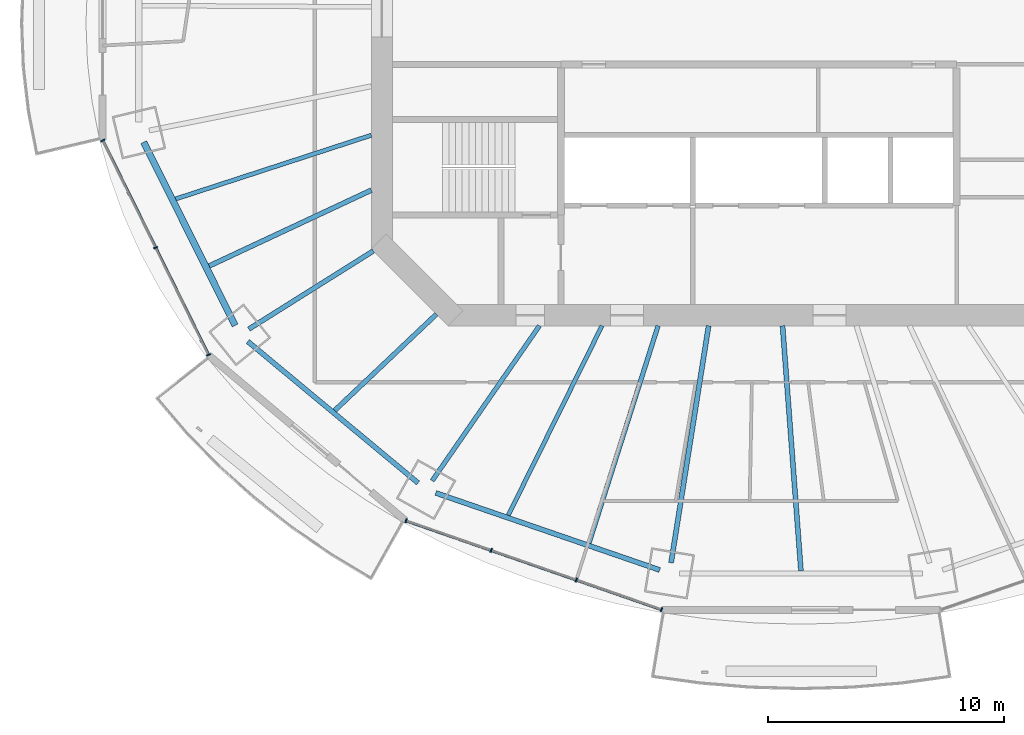
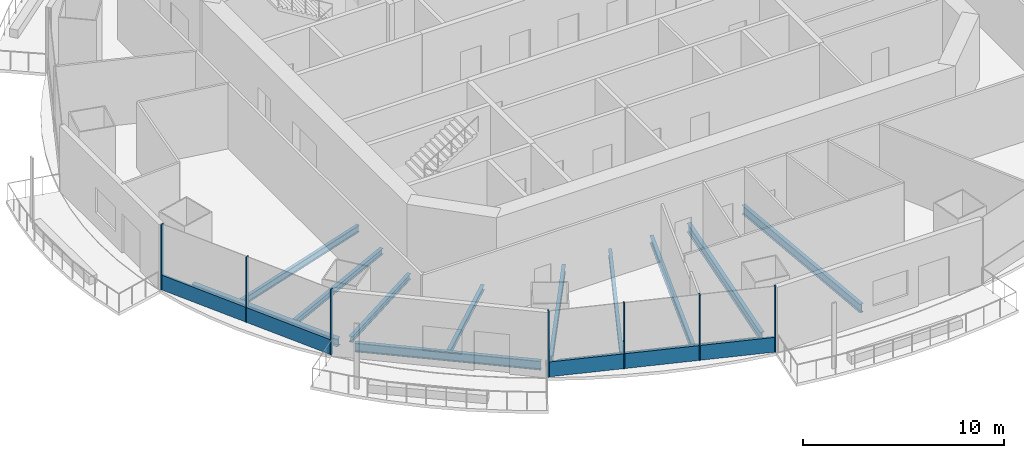
# One storey, part 2 of 19: 12 beams, 9 members, 2 elements without a shape of their own.
"""IFC4 building model written with IfcOpenShell, lengths in metres."""

from ifc_helpers import new_model, si_unit, direction, frame, origin, origin_2d, place, context, subcontext, project, spatial, rectangle, i_section, extrude, material, material_profile, profile_set, type_object, element, aggregate, save


model = new_model("IFC4")

# Units and contexts
model_context = context("Model", 3, precision=1e-05, world=origin(), true_north=direction((0.0, 1.0)))
body_context = subcontext(model_context, "Body", "Model", "MODEL_VIEW")
ifc_project = project(units=[si_unit("LENGTHUNIT", "METRE"), si_unit("AREAUNIT", "SQUARE_METRE"), si_unit("VOLUMEUNIT", "CUBIC_METRE"), si_unit("PLANEANGLEUNIT", "RADIAN"), si_unit("MASSUNIT", "GRAM", prefix="KILO")], contexts=[model_context])

# Site, building, storey
site_placement = place(None, origin())
site = spatial("IfcSite", under=ifc_project, at=site_placement, CompositionType="ELEMENT")
building_placement = place(site_placement, origin())
building = spatial("IfcBuilding", under=site, at=building_placement, Name="Marenthal Gate Tower", CompositionType="ELEMENT")
storey_placement = place(building_placement, frame((0.0, 0.0, 244.050048828125)))
storey = spatial("IfcBuildingStorey", under=building, at=storey_placement, Name="L54", CompositionType="ELEMENT", Elevation=244.050048828125)

# Curtain wall, members
ifc_material_1 = material(Name="Aluminium and glass", Category="aluminium")
curtain_wall_type = type_object("IfcCurtainWallType", Name="Curtain wall typical mid", PredefinedType="NOTDEFINED", material=ifc_material_1)
curtain_wall_1_placement = place(storey_placement, origin())
curtain_wall_1 = element("IfcCurtainWall", 1, at=curtain_wall_1_placement, inside=storey, type_object=curtain_wall_type, Name="Curtain wall L54 bay 9", PredefinedType="NOTDEFINED")
ifc_material_2 = material(Name="Aluminium", Category="aluminium")
ifc_material_profile_1 = material_profile(ifc_material_2, rectangle(XDim=0.179931640625, YDim=0.06005859375, at=origin_2d()), Name="60x180 aluminium mullion")
ifc_profile_set_1 = profile_set([ifc_material_profile_1], Name="Aluminium")
member_type_1 = type_object("IfcMemberType", Name="Mullion 60x180 typical mid", PredefinedType="MULLION", material=ifc_profile_set_1)
member_1_placement = place(storey_placement, frame((-27.8505859375, -5.58203125, 0.0), z_axis=(0.0, 0.0, 1.0), x_axis=(0.896835471663, 0.442364258013, 0.0)))
member_1 = element("IfcMember", 2, at=member_1_placement, type_object=member_type_1, Name="Mullion L54 bay 9.1", PredefinedType="MULLION", context=body_context, shape_type="SweptSolid", body=[
    extrude(rectangle(XDim=0.179931640625, YDim=0.06005859375, at=origin_2d()), origin(), (0.0, 0.0, 1.0), 3.969970703125),
])
member_2_placement = place(storey_placement, frame((-25.60595703125, -10.133056640625, 0.0), z_axis=(0.0, 0.0, 1.0), x_axis=(0.896835471663, 0.442364258013, 0.0)))
member_2 = element("IfcMember", 3, at=member_2_placement, type_object=member_type_1, Name="Mullion L54 bay 9.2", PredefinedType="MULLION", context=body_context, shape_type="SweptSolid", body=[
    extrude(rectangle(XDim=0.179931640625, YDim=0.06005859375, at=origin_2d()), origin(), (0.0, 0.0, 1.0), 3.969970703125),
])
member_3_placement = place(storey_placement, frame((-23.361083984375, -14.68408203125, 0.0), z_axis=(0.0, 0.0, 1.0), x_axis=(0.896835471663, 0.442364258013, 0.0)))
member_3 = element("IfcMember", 4, at=member_3_placement, type_object=member_type_1, Name="Mullion L54 bay 9.3", PredefinedType="MULLION", context=body_context, shape_type="SweptSolid", body=[
    extrude(rectangle(XDim=0.179931640625, YDim=0.06005859375, at=origin_2d()), origin(), (0.0, 0.0, 1.0), 3.969970703125),
])

curtain_wall_2_placement = place(storey_placement, origin())
curtain_wall_2 = element("IfcCurtainWall", 5, at=curtain_wall_2_placement, inside=storey, type_object=curtain_wall_type, Name="Curtain wall L54 bay 11", PredefinedType="NOTDEFINED")
member_4_placement = place(storey_placement, frame((-14.974853515625, -21.728271484375, 0.0), z_axis=(0.0, 0.0, 1.0), x_axis=(0.328540448732, 0.944489901241, 0.0)))
member_4 = element("IfcMember", 6, at=member_4_placement, type_object=member_type_1, Name="Mullion L54 bay 11.1", PredefinedType="MULLION", context=body_context, shape_type="SweptSolid", body=[
    extrude(rectangle(XDim=0.179931640625, YDim=0.06005859375, at=origin_2d()), origin(), (0.0, 0.0, 1.0), 3.969970703125),
])
member_5_placement = place(storey_placement, frame((-11.359619140625, -22.98583984375, 0.0), z_axis=(0.0, 0.0, 1.0), x_axis=(0.328540448732, 0.944489901241, 0.0)))
member_5 = element("IfcMember", 7, at=member_5_placement, type_object=member_type_1, Name="Mullion L54 bay 11.2", PredefinedType="MULLION", context=body_context, shape_type="SweptSolid", body=[
    extrude(rectangle(XDim=0.179931640625, YDim=0.06005859375, at=origin_2d()), origin(), (0.0, 0.0, 1.0), 3.969970703125),
])
member_6_placement = place(storey_placement, frame((-7.744140625, -24.24365234375, 0.0), z_axis=(0.0, 0.0, 1.0), x_axis=(0.328540448732, 0.944489901241, 0.0)))
member_6 = element("IfcMember", 8, at=member_6_placement, type_object=member_type_1, Name="Mullion L54 bay 11.3", PredefinedType="MULLION", context=body_context, shape_type="SweptSolid", body=[
    extrude(rectangle(XDim=0.179931640625, YDim=0.06005859375, at=origin_2d()), origin(), (0.0, 0.0, 1.0), 3.969970703125),
])
member_7_placement = place(storey_placement, frame((-4.12890625, -25.501220703125, 0.0), z_axis=(0.0, 0.0, 1.0), x_axis=(0.328540448732, 0.944489901241, 0.0)))
member_7 = element("IfcMember", 9, at=member_7_placement, type_object=member_type_1, Name="Mullion L54 bay 11.4", PredefinedType="MULLION", context=body_context, shape_type="SweptSolid", body=[
    extrude(rectangle(XDim=0.179931640625, YDim=0.06005859375, at=origin_2d()), origin(), (0.0, 0.0, 1.0), 3.969970703125),
])

# Member
ifc_material_3 = material(Name="Aluminium", Category="aluminium")
ifc_material_profile_2 = material_profile(ifc_material_3, rectangle(XDim=0.1201171875, YDim=0.89990234375, at=origin_2d()), Name="120x900 aluminium transom")
ifc_profile_set_2 = profile_set([ifc_material_profile_2], Name="Aluminium")
member_type_2 = type_object("IfcMemberType", Name="Transom 120x900 typical mid", PredefinedType="USERDEFINED", material=ifc_profile_set_2)
member_8_placement = place(storey_placement, frame((-27.83740234375, -5.60888671875, 0.449951171875), z_axis=(0.442377007868, -0.896829182682, 0.0), x_axis=(0.896829182682, 0.442377007868, 0.0)))
member_8 = element("IfcMember", 10, at=member_8_placement, type_object=member_type_2, Name="Transom L54 bay 9", ObjectType="TRANSOM", PredefinedType="USERDEFINED", context=body_context, shape_type="SweptSolid", body=[
    extrude(rectangle(XDim=0.1201171875, YDim=0.89990234375, at=origin_2d()), origin(), (0.0, 0.0, 1.0), 10.0888671875),
])

aggregate(curtain_wall_1, [member_1, member_2, member_3, member_8])

member_9_placement = place(storey_placement, frame((-14.946533203125, -21.73828125, 0.449951171875), z_axis=(0.944493336766, -0.328530572099, 0.0), x_axis=(0.328530572099, 0.944493336766, 0.0)))
member_9 = element("IfcMember", 11, at=member_9_placement, type_object=member_type_2, Name="Transom L54 bay 11", ObjectType="TRANSOM", PredefinedType="USERDEFINED", context=body_context, shape_type="SweptSolid", body=[
    extrude(rectangle(XDim=0.1201171875, YDim=0.89990234375, at=origin_2d()), origin(), (0.0, 0.0, 1.0), 11.42333984375),
])

aggregate(curtain_wall_2, [member_4, member_5, member_6, member_7, member_9])

# Beams
ifc_material_4 = material(Name="Steel S355", Category="steel")
ifc_material_profile_3 = material_profile(ifc_material_4, i_section(OverallWidth=0.202880859375, OverallDepth=0.302001953125, WebThickness=0.007568359375, FlangeThickness=0.01318359375, FilletRadius=0.0126953125, at=origin_2d()), Name="W310X60")
ifc_profile_set_3 = profile_set([ifc_material_profile_3], Name="Steel S355")
beam_type_1 = type_object("IfcBeamType", Name="W310X60 beam", PredefinedType="BEAM", material=ifc_profile_set_3)
beam_1_placement = place(storey_placement, frame((-18.002197265625, -17.04541015625, -0.3310546875), z_axis=(0.726148890655, 0.687537481597, 0.0), x_axis=(-0.687537481597, 0.726148890655, 0.0)))
element("IfcBeam", 12, at=beam_1_placement, inside=storey, type_object=beam_type_1, Name="BM-L54-31", PredefinedType="BEAM", context=body_context, shape_type="SweptSolid", body=[
    extrude(i_section(OverallWidth=0.202880859375, OverallDepth=0.302001953125, WebThickness=0.007568359375, FlangeThickness=0.01318359375, FilletRadius=0.0126953125, at=origin_2d()), origin(), (0.0, 0.0, 1.0), 5.949951171875),
])
ifc_material_5 = material(Name="Steel S355", Category="steel")
ifc_material_profile_4 = material_profile(ifc_material_5, i_section(OverallWidth=0.205078125, OverallDepth=0.35302734375, WebThickness=0.009521484375, FlangeThickness=0.016845703125, FilletRadius=0.014892578125, at=origin_2d()), Name="W360X79")
ifc_profile_set_4 = profile_set([ifc_material_profile_4], Name="Steel S355")
beam_type_2 = type_object("IfcBeamType", Name="W360X79 beam", PredefinedType="BEAM", material=ifc_profile_set_4)
beam_2_placement = place(storey_placement, frame((-21.6474609375, -13.59033203125, -0.3564453125), z_axis=(0.846932607318, 0.531700252644, 0.0), x_axis=(-0.531700252644, 0.846932607318, 0.0)))
element("IfcBeam", 13, at=beam_2_placement, inside=storey, type_object=beam_type_2, Name="BM-L54-10", PredefinedType="BEAM", context=body_context, shape_type="SweptSolid", body=[
    extrude(i_section(OverallWidth=0.205078125, OverallDepth=0.35302734375, WebThickness=0.009521484375, FlangeThickness=0.016845703125, FilletRadius=0.014892578125, at=origin_2d()), origin(), (0.0, 0.0, 1.0), 6.2392578125),
])
beam_3_placement = place(storey_placement, frame((-23.33447265625, -10.911865234375, -0.3564453125), z_axis=(0.905857061392, 0.423583503369, 0.0), x_axis=(-0.423583503369, 0.905857061392, 0.0)))
element("IfcBeam", 14, at=beam_3_placement, inside=storey, type_object=beam_type_2, Name="BM-L54-30", PredefinedType="BEAM", context=body_context, shape_type="SweptSolid", body=[
    extrude(i_section(OverallWidth=0.205078125, OverallDepth=0.35302734375, WebThickness=0.009521484375, FlangeThickness=0.016845703125, FilletRadius=0.014892578125, at=origin_2d()), origin(), (0.0, 0.0, 1.0), 7.60009765625),
])
ifc_material_6 = material(Name="Steel S355", Category="steel")
ifc_material_profile_5 = material_profile(ifc_material_6, i_section(OverallWidth=0.180908203125, OverallDepth=0.4169921875, WebThickness=0.010986328125, FlangeThickness=0.018310546875, FilletRadius=0.01025390625, at=origin_2d()), Name="W410X85")
ifc_profile_set_5 = profile_set([ifc_material_profile_5], Name="Steel S355")
beam_type_3 = type_object("IfcBeamType", Name="W410X85 beam", PredefinedType="BEAM", material=ifc_profile_set_5)
beam_4_placement = place(storey_placement, frame((-24.75341796875, -8.065185546875, -0.388427734375), z_axis=(0.950808446089, 0.309779435803, 0.0), x_axis=(-0.309779435803, 0.950808446089, 0.0)))
element("IfcBeam", 15, at=beam_4_placement, inside=storey, type_object=beam_type_3, Name="BM-L54-29", PredefinedType="BEAM", context=body_context, shape_type="SweptSolid", body=[
    extrude(i_section(OverallWidth=0.180908203125, OverallDepth=0.4169921875, WebThickness=0.010986328125, FlangeThickness=0.018310546875, FilletRadius=0.01025390625, at=origin_2d()), origin(), (0.0, 0.0, 1.0), 8.733154296875),
])
beam_5_placement = place(storey_placement, frame((-10.633544921875, -21.494384765625, -0.388427734375), z_axis=(0.443423041842, 0.89631244885, 0.0), x_axis=(-0.89631244885, 0.443423041842, 0.0)))
element("IfcBeam", 16, at=beam_5_placement, inside=storey, type_object=beam_type_3, Name="BM-L54-32", PredefinedType="BEAM", context=body_context, shape_type="SweptSolid", body=[
    extrude(i_section(OverallWidth=0.180908203125, OverallDepth=0.4169921875, WebThickness=0.010986328125, FlangeThickness=0.018310546875, FilletRadius=0.01025390625, at=origin_2d()), origin(), (0.0, 0.0, 1.0), 8.97509765625),
])
ifc_material_7 = material(Name="Steel S355", Category="steel")
ifc_material_profile_6 = material_profile(ifc_material_7, i_section(OverallWidth=0.279052734375, OverallDepth=0.4619140625, WebThickness=0.0107421875, FlangeThickness=0.017333984375, FilletRadius=0.010009765625, at=origin_2d()), Name="W460X113")
ifc_profile_set_6 = profile_set([ifc_material_profile_6], Name="Steel S355")
beam_type_4 = type_object("IfcBeamType", Name="W460X113 beam", PredefinedType="BEAM", material=ifc_profile_set_6)
beam_6_placement = place(storey_placement, frame((-26.11376953125, -5.649169921875, -0.4111328125), z_axis=(0.446135404935, -0.894965474453, 0.0), x_axis=(0.894965474453, 0.446135404935, 0.0)))
element("IfcBeam", 17, at=beam_6_placement, inside=storey, type_object=beam_type_4, Name="BM-L54-49", PredefinedType="BEAM", context=body_context, shape_type="SweptSolid", body=[
    extrude(i_section(OverallWidth=0.279052734375, OverallDepth=0.4619140625, WebThickness=0.0107421875, FlangeThickness=0.017333984375, FilletRadius=0.010009765625, at=origin_2d()), origin(), (0.0, 0.0, 1.0), 8.69775390625),
])
ifc_material_8 = material(Name="Steel S355", Category="steel")
ifc_material_profile_7 = material_profile(ifc_material_8, i_section(OverallWidth=0.193115234375, OverallDepth=0.467041015625, WebThickness=0.011474609375, FlangeThickness=0.01904296875, FilletRadius=0.010009765625, at=origin_2d()), Name="W460X97")
ifc_profile_set_7 = profile_set([ifc_material_profile_7], Name="Steel S355")
beam_type_5 = type_object("IfcBeamType", Name="W460X97 beam", PredefinedType="BEAM", material=ifc_profile_set_7)
beam_7_placement = place(storey_placement, frame((-13.86669921875, -20.031005859375, -0.41357421875), z_axis=(0.56919253172, 0.822204270138, 0.0), x_axis=(-0.822204270138, 0.56919253172, 0.0)))
element("IfcBeam", 18, at=beam_7_placement, inside=storey, type_object=beam_type_5, Name="BM-L54-11", PredefinedType="BEAM", context=body_context, shape_type="SweptSolid", body=[
    extrude(i_section(OverallWidth=0.193115234375, OverallDepth=0.467041015625, WebThickness=0.011474609375, FlangeThickness=0.01904296875, FilletRadius=0.010009765625, at=origin_2d()), origin(), (0.0, 0.0, 1.0), 8.004150390625),
])
beam_8_placement = place(storey_placement, frame((-7.20458984375, -22.6748046875, -0.41357421875), z_axis=(0.302825716361, 0.953045951416, 0.0), x_axis=(-0.953045951416, 0.302825716361, 0.0)))
element("IfcBeam", 19, at=beam_8_placement, inside=storey, type_object=beam_type_5, Name="BM-L54-33", PredefinedType="BEAM", context=body_context, shape_type="SweptSolid", body=[
    extrude(i_section(OverallWidth=0.193115234375, OverallDepth=0.467041015625, WebThickness=0.011474609375, FlangeThickness=0.01904296875, FilletRadius=0.010009765625, at=origin_2d()), origin(), (0.0, 0.0, 1.0), 9.679443359375),
])
ifc_material_9 = material(Name="Steel S355", Category="steel")
ifc_material_profile_8 = material_profile(ifc_material_9, i_section(OverallWidth=0.2099609375, OverallDepth=0.535888671875, WebThickness=0.010986328125, FlangeThickness=0.017333984375, FilletRadius=0.0126953125, at=origin_2d()), Name="W530X101")
ifc_profile_set_8 = profile_set([ifc_material_profile_8], Name="Steel S355")
beam_type_6 = type_object("IfcBeamType", Name="W530X101 beam", PredefinedType="BEAM", material=ifc_profile_set_8)
beam_9_placement = place(storey_placement, frame((1.7919921875, -23.855224609375, -0.447998046875), z_axis=(-0.074894646593, 0.997191451985, 0.0), x_axis=(-0.997191451985, -0.074894646593, 0.0)))
element("IfcBeam", 20, at=beam_9_placement, inside=storey, type_object=beam_type_6, Name="BM-L54-34", PredefinedType="BEAM", context=body_context, shape_type="SweptSolid", body=[
    extrude(i_section(OverallWidth=0.2099609375, OverallDepth=0.535888671875, WebThickness=0.010986328125, FlangeThickness=0.017333984375, FilletRadius=0.0126953125, at=origin_2d()), origin(), (0.0, 0.0, 1.0), 10.4345703125),
])
ifc_material_10 = material(Name="Steel S355", Category="steel")
ifc_material_profile_9 = material_profile(ifc_material_10, i_section(OverallWidth=0.2119140625, OverallDepth=0.5439453125, WebThickness=0.01318359375, FlangeThickness=0.021240234375, FilletRadius=0.0126953125, at=origin_2d()), Name="W530X123")
ifc_profile_set_9 = profile_set([ifc_material_profile_9], Name="Steel S355")
beam_type_7 = type_object("IfcBeamType", Name="W530X123 beam", PredefinedType="BEAM", material=ifc_profile_set_9)
beam_10_placement = place(storey_placement, frame((-3.721923828125, -23.516845703125, -0.4521484375), z_axis=(0.156321738936, 0.987706188062, 0.0), x_axis=(-0.987706188062, 0.156321738936, 0.0)))
element("IfcBeam", 21, at=beam_10_placement, inside=storey, type_object=beam_type_7, Name="BM-L54-12", PredefinedType="BEAM", context=body_context, shape_type="SweptSolid", body=[
    extrude(i_section(OverallWidth=0.2119140625, OverallDepth=0.5439453125, WebThickness=0.01318359375, FlangeThickness=0.021240234375, FilletRadius=0.0126953125, at=origin_2d()), origin(), (0.0, 0.0, 1.0), 10.192138671875),
])
beam_11_placement = place(storey_placement, frame((-21.69287109375, -14.11669921875, -0.4521484375), z_axis=(0.769123379534, -0.639100326282, 0.0), x_axis=(0.639100326282, 0.769123379534, 0.0)))
element("IfcBeam", 22, at=beam_11_placement, inside=storey, type_object=beam_type_7, Name="BM-L54-50", PredefinedType="BEAM", context=body_context, shape_type="SweptSolid", body=[
    extrude(i_section(OverallWidth=0.2119140625, OverallDepth=0.5439453125, WebThickness=0.01318359375, FlangeThickness=0.021240234375, FilletRadius=0.0126953125, at=origin_2d()), origin(), (0.0, 0.0, 1.0), 9.397705078125),
])
beam_12_placement = place(storey_placement, frame((-13.7099609375, -20.5478515625, -0.4521484375), z_axis=(0.945565649908, -0.325431408617, 0.0), x_axis=(0.325431408617, 0.945565649908, 0.0)))
element("IfcBeam", 23, at=beam_12_placement, inside=storey, type_object=beam_type_7, Name="BM-L54-51", PredefinedType="BEAM", context=body_context, shape_type="SweptSolid", body=[
    extrude(i_section(OverallWidth=0.2119140625, OverallDepth=0.5439453125, WebThickness=0.01318359375, FlangeThickness=0.021240234375, FilletRadius=0.0126953125, at=origin_2d()), origin(), (0.0, 0.0, 1.0), 10.050537109375),
])

save(model, "model.ifc")
